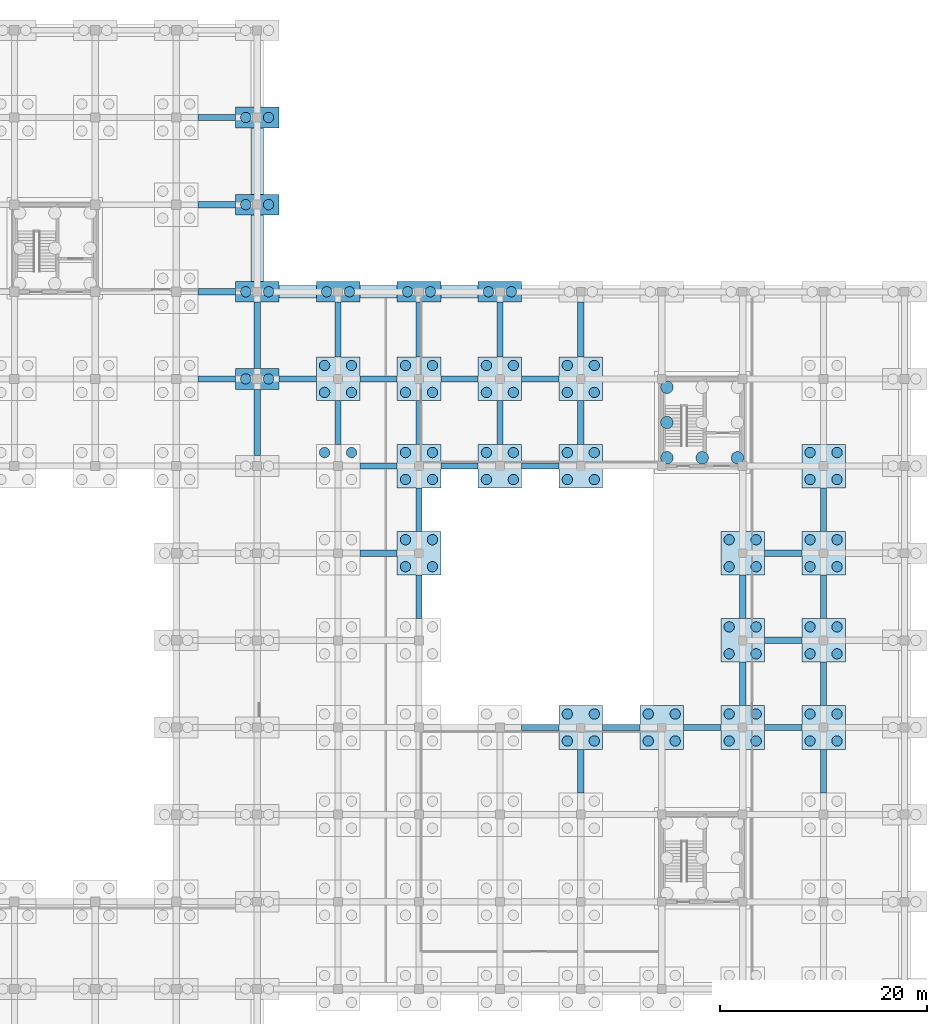
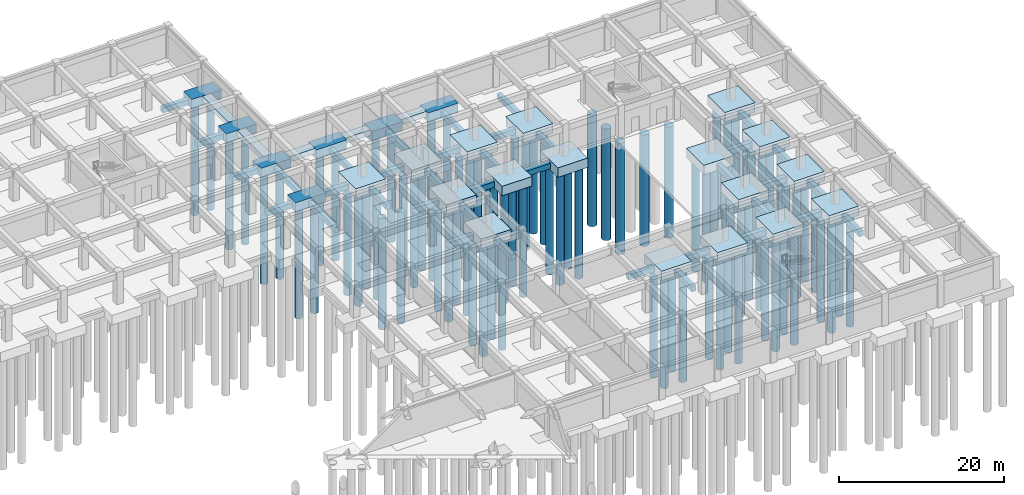
# One storey, part 10 of 31: 89 piles, 66 footings.
"""IFC4 building model written with IfcOpenShell, lengths in metres."""

from ifc_helpers import new_model, si_unit, direction, frame, origin, origin_2d, place, context, subcontext, project, spatial, rectangle, circle, extrude, material, material_profile, profile_set, type_object, element, save


model = new_model("IFC4")

# Units and contexts
model_context = context("Model", 3, precision=1e-05, world=origin(), true_north=direction((0.0, 1.0)))
body_context = subcontext(model_context, "Body", "Model", "MODEL_VIEW")
ifc_project = project(units=[si_unit("LENGTHUNIT", "METRE"), si_unit("AREAUNIT", "SQUARE_METRE"), si_unit("VOLUMEUNIT", "CUBIC_METRE"), si_unit("PLANEANGLEUNIT", "RADIAN"), si_unit("MASSUNIT", "GRAM", prefix="KILO")], contexts=[model_context])

# Site, building, storey
site_placement = place(None, origin())
site = spatial("IfcSite", under=ifc_project, at=site_placement, CompositionType="ELEMENT")
building_placement = place(site_placement, origin())
building = spatial("IfcBuilding", under=site, at=building_placement, Name="Zizhar Promenade General Hospital", CompositionType="ELEMENT")
storey_placement = place(building_placement, frame((0.0, 0.0, -4.800048828125)))
storey = spatial("IfcBuildingStorey", under=building, at=storey_placement, Name="B1", CompositionType="ELEMENT", Elevation=-4.800048828125)

# Footings
ifc_material_1 = material(Name="Concrete C30/37", Category="concrete")
footing_type_1 = type_object("IfcFootingType", Name="FTG-CAP2-4000", PredefinedType="PILE_CAP", material=ifc_material_1)
for number, where, z_axis, x_axis, name in (
    (1, (132.60009765625, 100.800048828125, -1.39990234375), (0.0, 0.0, 1.0), (1.0, 0.0, 0.0), "Pile Cap 18-N"),
    (2, (132.60009765625, 109.199951171875, -1.39990234375), (0.0, 0.0, 1.0), (1.0, 0.0, 0.0), "Pile Cap 18-P"),
    (3, (132.60009765625, 117.60009765625, -1.39990234375), (0.0, 0.0, 1.0), (1.0, 0.0, 0.0), "Pile Cap 18-Q"),
    (4, (132.60009765625, 126.0, -1.39990234375), (0.0, 0.0, 1.0), (1.0, 0.0, 0.0), "Pile Cap 18-R"),
    (5, (140.39990234375, 109.199951171875, -1.39990234375), (0.0, 0.0, 1.0), (1.0, 0.0, 0.0), "Pile Cap 19-P"),
    (6, (148.199951171875, 109.199951171875, -1.39990234375), (0.0, 0.0, 1.0), (1.0, 0.0, 0.0), "Pile Cap 20-P"),
    (7, (156.0, 109.199951171875, -1.39990234375), (0.0, 0.0, 1.0), (1.0, 0.0, 0.0), "Pile Cap 21-P"),
):
    element("IfcFooting", number, at=place(storey_placement, frame(where, z_axis=z_axis, x_axis=x_axis)), inside=storey, type_object=footing_type_1, Name=name, PredefinedType="PILE_CAP", context=body_context, shape_type="SweptSolid", body=[
        extrude(rectangle(XDim=4.199951171875, YDim=2.0, at=origin_2d()), origin(), (0.0, 0.0, 1.0), 1.39990234375),
    ])
ifc_material_2 = material(Name="Concrete C30/37", Category="concrete")
footing_type_2 = type_object("IfcFootingType", Name="FTG-CAP4-4200", PredefinedType="PILE_CAP", material=ifc_material_2)
for number, where, z_axis, x_axis, name in (
    (8, (140.39990234375, 100.800048828125, -1.39990234375), (0.0, 0.0, 1.0), (1.0, 0.0, 0.0), "Pile Cap 19-N"),
    (9, (148.199951171875, 84.0, -1.39990234375), (0.0, 0.0, 1.0), (1.0, 0.0, 0.0), "Pile Cap 20-L"),
    (10, (148.199951171875, 92.39990234375, -1.39990234375), (0.0, 0.0, 1.0), (1.0, 0.0, 0.0), "Pile Cap 20-M"),
    (11, (148.199951171875, 100.800048828125, -1.39990234375), (0.0, 0.0, 1.0), (1.0, 0.0, 0.0), "Pile Cap 20-N"),
    (12, (156.0, 92.39990234375, -1.39990234375), (0.0, 0.0, 1.0), (1.0, 0.0, 0.0), "Pile Cap 21-M"),
    (13, (156.0, 100.800048828125, -1.39990234375), (0.0, 0.0, 1.0), (1.0, 0.0, 0.0), "Pile Cap 21-N"),
    (14, (163.800048828125, 67.199951171875, -1.39990234375), (0.0, 0.0, 1.0), (1.0, 0.0, 0.0), "Pile Cap 22-J"),
    (15, (163.800048828125, 92.39990234375, -1.39990234375), (0.0, 0.0, 1.0), (1.0, 0.0, 0.0), "Pile Cap 22-M"),
    (16, (163.800048828125, 100.800048828125, -1.39990234375), (0.0, 0.0, 1.0), (1.0, 0.0, 0.0), "Pile Cap 22-N"),
    (17, (171.60009765625, 67.199951171875, -1.39990234375), (0.0, 0.0, 1.0), (1.0, 0.0, 0.0), "Pile Cap 23-J"),
    (18, (179.39990234375, 67.199951171875, -1.39990234375), (0.0, 0.0, 1.0), (1.0, 0.0, 0.0), "Pile Cap 24-J"),
    (19, (179.39990234375, 75.60009765625, -1.39990234375), (0.0, 0.0, 1.0), (1.0, 0.0, 0.0), "Pile Cap 24-K"),
    (20, (179.39990234375, 84.0, -1.39990234375), (0.0, 0.0, 1.0), (1.0, 0.0, 0.0), "Pile Cap 24-L"),
    (21, (187.199951171875, 67.199951171875, -1.39990234375), (0.0, 0.0, 1.0), (1.0, 0.0, 0.0), "Pile Cap 25-J"),
    (22, (187.199951171875, 75.60009765625, -1.39990234375), (0.0, 0.0, 1.0), (1.0, 0.0, 0.0), "Pile Cap 25-K"),
    (23, (187.199951171875, 84.0, -1.39990234375), (0.0, 0.0, 1.0), (1.0, 0.0, 0.0), "Pile Cap 25-L"),
    (24, (187.199951171875, 92.39990234375, -1.39990234375), (0.0, 0.0, 1.0), (1.0, 0.0, 0.0), "Pile Cap 25-M"),
):
    element("IfcFooting", number, at=place(storey_placement, frame(where, z_axis=z_axis, x_axis=x_axis)), inside=storey, type_object=footing_type_2, Name=name, PredefinedType="PILE_CAP", context=body_context, shape_type="SweptSolid", body=[
        extrude(rectangle(XDim=4.199951171875, YDim=4.199951171875, at=origin_2d()), origin(), (0.0, 0.0, 1.0), 1.39990234375),
    ])
ifc_material_3 = material(Name="Concrete C30/37", Category="concrete")
ifc_material_profile_1 = material_profile(ifc_material_3, rectangle(XDim=1.199951171875, YDim=0.800048828125, at=origin_2d()))
ifc_profile_set_1 = profile_set([ifc_material_profile_1], Name="Concrete C30/37")
footing_type_3 = type_object("IfcFootingType", Name="FTG-STRIP-1200", PredefinedType="STRIP_FOOTING", material=ifc_profile_set_1)
footing_1_placement = place(storey_placement, frame((153.89990234375, 109.199951171875, -0.39990234375), z_axis=(-1.0, 0.0, 0.0), x_axis=(0.0, -1.0, 0.0)))
element("IfcFooting", 25, at=footing_1_placement, inside=storey, type_object=footing_type_3, Name="Basement Wall Strip Footing B05 (6)", PredefinedType="STRIP_FOOTING", context=body_context, shape_type="SweptSolid", body=[
    extrude(rectangle(XDim=1.199951171875, YDim=0.800048828125, at=origin_2d()), origin(), (0.0, 0.0, 1.0), 3.599853515625),
])
for number, where, z_axis, x_axis, name in (
    (26, (146.10009765625, 109.199951171875, -0.39990234375), (-1.0, 0.0, 0.0), (0.0, -1.0, 0.0), "Basement Wall Strip Footing B05 (7)"),
    (27, (138.300048828125, 109.199951171875, -0.39990234375), (-1.0, 0.0, 0.0), (0.0, -1.0, 0.0), "Basement Wall Strip Footing B05 (8)"),
):
    element("IfcFooting", number, at=place(storey_placement, frame(where, z_axis=z_axis, x_axis=x_axis)), inside=storey, type_object=footing_type_3, Name=name, PredefinedType="STRIP_FOOTING", context=body_context, shape_type="SweptSolid", body=[
        extrude(rectangle(XDim=1.199951171875, YDim=0.800048828125, at=origin_2d()), origin(), (0.0, 0.0, 1.0), 3.60009765625),
    ])
footing_2_placement = place(storey_placement, frame((132.60009765625, 110.199951171875, -0.39990234375), z_axis=(0.0, 1.0, 0.0), x_axis=(-1.0, 0.0, 0.0)))
element("IfcFooting", 28, at=footing_2_placement, inside=storey, type_object=footing_type_3, Name="Basement Wall Strip Footing B06", PredefinedType="STRIP_FOOTING", context=body_context, shape_type="SweptSolid", body=[
    extrude(rectangle(XDim=1.199951171875, YDim=0.800048828125, at=origin_2d()), origin(), (0.0, 0.0, 1.0), 6.400146484375),
])
footing_3_placement = place(storey_placement, frame((132.60009765625, 118.60009765625, -0.39990234375), z_axis=(0.0, 1.0, 0.0), x_axis=(-1.0, 0.0, 0.0)))
element("IfcFooting", 29, at=footing_3_placement, inside=storey, type_object=footing_type_3, Name="Basement Wall Strip Footing B06 (2)", PredefinedType="STRIP_FOOTING", context=body_context, shape_type="SweptSolid", body=[
    extrude(rectangle(XDim=1.199951171875, YDim=0.800048828125, at=origin_2d()), origin(), (0.0, 0.0, 1.0), 6.39990234375),
])
ifc_material_4 = material(Name="Concrete C30/37", Category="concrete")
ifc_material_profile_2 = material_profile(ifc_material_4, rectangle(XDim=0.60009765625, YDim=0.800048828125, at=origin_2d()))
ifc_profile_set_2 = profile_set([ifc_material_profile_2], Name="Concrete C30/37")
footing_type_4 = type_object("IfcFootingType", Name="FTG-TIE-600x800", PredefinedType="FOOTING_BEAM", material=ifc_profile_set_2)
for number, where, z_axis, x_axis, name in (
    (30, (126.89990234375, 100.800048828125, -0.800048828125), (1.0, 0.0, 0.0), (0.0, 1.0, 0.0), "Seismic Ground Tie Beam X-16-12"),
    (31, (126.89990234375, 109.199951171875, -0.800048828125), (1.0, 0.0, 0.0), (0.0, 1.0, 0.0), "Seismic Ground Tie Beam X-16-13"),
    (32, (126.89990234375, 117.60009765625, -0.800048828125), (1.0, 0.0, 0.0), (0.0, 1.0, 0.0), "Seismic Ground Tie Beam X-16-14"),
    (33, (126.89990234375, 126.0, -0.800048828125), (1.0, 0.0, 0.0), (0.0, 1.0, 0.0), "Seismic Ground Tie Beam X-16-15"),
):
    element("IfcFooting", number, at=place(storey_placement, frame(where, z_axis=z_axis, x_axis=x_axis)), inside=storey, type_object=footing_type_4, Name=name, PredefinedType="FOOTING_BEAM", context=body_context, shape_type="SweptSolid", body=[
        extrude(rectangle(XDim=0.60009765625, YDim=0.800048828125, at=origin_2d()), origin(), (0.0, 0.0, 1.0), 3.60009765625),
    ])
footing_4_placement = place(storey_placement, frame((132.60009765625, 93.39990234375, -0.800048828125), z_axis=(0.0, 1.0, 0.0), x_axis=(-1.0, 0.0, 0.0)))
element("IfcFooting", 34, at=footing_4_placement, inside=storey, type_object=footing_type_4, Name="Seismic Ground Tie Beam Y-17-11", PredefinedType="FOOTING_BEAM", context=body_context, shape_type="SweptSolid", body=[
    extrude(rectangle(XDim=0.60009765625, YDim=0.800048828125, at=origin_2d()), origin(), (0.0, 0.0, 1.0), 6.400146484375),
])
footing_5_placement = place(storey_placement, frame((134.699951171875, 100.800048828125, -0.800048828125), z_axis=(1.0, 0.0, 0.0), x_axis=(0.0, 1.0, 0.0)))
element("IfcFooting", 35, at=footing_5_placement, inside=storey, type_object=footing_type_4, Name="Seismic Ground Tie Beam X-17-12", PredefinedType="FOOTING_BEAM", context=body_context, shape_type="SweptSolid", body=[
    extrude(rectangle(XDim=0.60009765625, YDim=0.800048828125, at=origin_2d()), origin(), (0.0, 0.0, 1.0), 3.60009765625),
])
footing_6_placement = place(storey_placement, frame((132.60009765625, 101.800048828125, -0.800048828125), z_axis=(0.0, 1.0, 0.0), x_axis=(-1.0, 0.0, 0.0)))
element("IfcFooting", 36, at=footing_6_placement, inside=storey, type_object=footing_type_4, Name="Seismic Ground Tie Beam Y-17-12", PredefinedType="FOOTING_BEAM", context=body_context, shape_type="SweptSolid", body=[
    extrude(rectangle(XDim=0.60009765625, YDim=0.800048828125, at=origin_2d()), origin(), (0.0, 0.0, 1.0), 6.39990234375),
])
for number, where, z_axis, x_axis, name in (
    (37, (142.5, 84.0, -0.800048828125), (1.0, 0.0, 0.0), (0.0, 1.0, 0.0), "Seismic Ground Tie Beam X-18-10"),
    (38, (142.5, 92.39990234375, -0.800048828125), (1.0, 0.0, 0.0), (0.0, 1.0, 0.0), "Seismic Ground Tie Beam X-18-11"),
):
    element("IfcFooting", number, at=place(storey_placement, frame(where, z_axis=z_axis, x_axis=x_axis)), inside=storey, type_object=footing_type_4, Name=name, PredefinedType="FOOTING_BEAM", context=body_context, shape_type="SweptSolid", body=[
        extrude(rectangle(XDim=0.60009765625, YDim=0.800048828125, at=origin_2d()), origin(), (0.0, 0.0, 1.0), 3.60009765625),
    ])
footing_7_placement = place(storey_placement, frame((140.39990234375, 94.5, -0.800048828125), z_axis=(0.0, 1.0, 0.0), x_axis=(-1.0, 0.0, 0.0)))
element("IfcFooting", 39, at=footing_7_placement, inside=storey, type_object=footing_type_4, Name="Seismic Ground Tie Beam Y-18-11", PredefinedType="FOOTING_BEAM", context=body_context, shape_type="SweptSolid", body=[
    extrude(rectangle(XDim=0.60009765625, YDim=0.800048828125, at=origin_2d()), origin(), (0.0, 0.0, 1.0), 4.199951171875),
])
footing_8_placement = place(storey_placement, frame((142.5, 100.800048828125, -0.800048828125), z_axis=(1.0, 0.0, 0.0), x_axis=(0.0, 1.0, 0.0)))
element("IfcFooting", 40, at=footing_8_placement, inside=storey, type_object=footing_type_4, Name="Seismic Ground Tie Beam X-18-12", PredefinedType="FOOTING_BEAM", context=body_context, shape_type="SweptSolid", body=[
    extrude(rectangle(XDim=0.60009765625, YDim=0.800048828125, at=origin_2d()), origin(), (0.0, 0.0, 1.0), 3.60009765625),
])
footing_9_placement = place(storey_placement, frame((140.39990234375, 102.89990234375, -0.800048828125), z_axis=(0.0, 1.0, 0.0), x_axis=(-1.0, 0.0, 0.0)))
element("IfcFooting", 41, at=footing_9_placement, inside=storey, type_object=footing_type_4, Name="Seismic Ground Tie Beam Y-18-12", PredefinedType="FOOTING_BEAM", context=body_context, shape_type="SweptSolid", body=[
    extrude(rectangle(XDim=0.60009765625, YDim=0.800048828125, at=origin_2d()), origin(), (0.0, 0.0, 1.0), 5.300048828125),
])
for number, where, z_axis, x_axis, name in (
    (42, (148.199951171875, 77.699951171875, -0.800048828125), (0.0, 1.0, 0.0), (-1.0, 0.0, 0.0), "Seismic Ground Tie Beam Y-19-9"),
    (43, (148.199951171875, 86.10009765625, -0.800048828125), (0.0, 1.0, 0.0), (-1.0, 0.0, 0.0), "Seismic Ground Tie Beam Y-19-10"),
):
    element("IfcFooting", number, at=place(storey_placement, frame(where, z_axis=z_axis, x_axis=x_axis)), inside=storey, type_object=footing_type_4, Name=name, PredefinedType="FOOTING_BEAM", context=body_context, shape_type="SweptSolid", body=[
        extrude(rectangle(XDim=0.60009765625, YDim=0.800048828125, at=origin_2d()), origin(), (0.0, 0.0, 1.0), 4.199951171875),
    ])
footing_10_placement = place(storey_placement, frame((150.300048828125, 92.39990234375, -0.800048828125), z_axis=(1.0, 0.0, 0.0), x_axis=(0.0, 1.0, 0.0)))
element("IfcFooting", 44, at=footing_10_placement, inside=storey, type_object=footing_type_4, Name="Seismic Ground Tie Beam X-19-11", PredefinedType="FOOTING_BEAM", context=body_context, shape_type="SweptSolid", body=[
    extrude(rectangle(XDim=0.60009765625, YDim=0.800048828125, at=origin_2d()), origin(), (0.0, 0.0, 1.0), 3.599853515625),
])
footing_11_placement = place(storey_placement, frame((148.199951171875, 94.5, -0.800048828125), z_axis=(0.0, 1.0, 0.0), x_axis=(-1.0, 0.0, 0.0)))
element("IfcFooting", 45, at=footing_11_placement, inside=storey, type_object=footing_type_4, Name="Seismic Ground Tie Beam Y-19-11", PredefinedType="FOOTING_BEAM", context=body_context, shape_type="SweptSolid", body=[
    extrude(rectangle(XDim=0.60009765625, YDim=0.800048828125, at=origin_2d()), origin(), (0.0, 0.0, 1.0), 4.199951171875),
])
footing_12_placement = place(storey_placement, frame((150.300048828125, 100.800048828125, -0.800048828125), z_axis=(1.0, 0.0, 0.0), x_axis=(0.0, 1.0, 0.0)))
element("IfcFooting", 46, at=footing_12_placement, inside=storey, type_object=footing_type_4, Name="Seismic Ground Tie Beam X-19-12", PredefinedType="FOOTING_BEAM", context=body_context, shape_type="SweptSolid", body=[
    extrude(rectangle(XDim=0.60009765625, YDim=0.800048828125, at=origin_2d()), origin(), (0.0, 0.0, 1.0), 3.599853515625),
])
footing_13_placement = place(storey_placement, frame((148.199951171875, 102.89990234375, -0.800048828125), z_axis=(0.0, 1.0, 0.0), x_axis=(-1.0, 0.0, 0.0)))
element("IfcFooting", 47, at=footing_13_placement, inside=storey, type_object=footing_type_4, Name="Seismic Ground Tie Beam Y-19-12", PredefinedType="FOOTING_BEAM", context=body_context, shape_type="SweptSolid", body=[
    extrude(rectangle(XDim=0.60009765625, YDim=0.800048828125, at=origin_2d()), origin(), (0.0, 0.0, 1.0), 5.300048828125),
])
for number, where, z_axis, x_axis, name in (
    (48, (158.10009765625, 67.199951171875, -0.800048828125), (1.0, 0.0, 0.0), (0.0, 1.0, 0.0), "Seismic Ground Tie Beam X-20-8"),
    (49, (158.10009765625, 92.39990234375, -0.800048828125), (1.0, 0.0, 0.0), (0.0, 1.0, 0.0), "Seismic Ground Tie Beam X-20-11"),
):
    element("IfcFooting", number, at=place(storey_placement, frame(where, z_axis=z_axis, x_axis=x_axis)), inside=storey, type_object=footing_type_4, Name=name, PredefinedType="FOOTING_BEAM", context=body_context, shape_type="SweptSolid", body=[
        extrude(rectangle(XDim=0.60009765625, YDim=0.800048828125, at=origin_2d()), origin(), (0.0, 0.0, 1.0), 3.599853515625),
    ])
footing_14_placement = place(storey_placement, frame((156.0, 94.5, -0.800048828125), z_axis=(0.0, 1.0, 0.0), x_axis=(-1.0, 0.0, 0.0)))
element("IfcFooting", 50, at=footing_14_placement, inside=storey, type_object=footing_type_4, Name="Seismic Ground Tie Beam Y-20-11", PredefinedType="FOOTING_BEAM", context=body_context, shape_type="SweptSolid", body=[
    extrude(rectangle(XDim=0.60009765625, YDim=0.800048828125, at=origin_2d()), origin(), (0.0, 0.0, 1.0), 4.199951171875),
])
footing_15_placement = place(storey_placement, frame((158.10009765625, 100.800048828125, -0.800048828125), z_axis=(1.0, 0.0, 0.0), x_axis=(0.0, 1.0, 0.0)))
element("IfcFooting", 51, at=footing_15_placement, inside=storey, type_object=footing_type_4, Name="Seismic Ground Tie Beam X-20-12", PredefinedType="FOOTING_BEAM", context=body_context, shape_type="SweptSolid", body=[
    extrude(rectangle(XDim=0.60009765625, YDim=0.800048828125, at=origin_2d()), origin(), (0.0, 0.0, 1.0), 3.599853515625),
])
footing_16_placement = place(storey_placement, frame((156.0, 102.89990234375, -0.800048828125), z_axis=(0.0, 1.0, 0.0), x_axis=(-1.0, 0.0, 0.0)))
element("IfcFooting", 52, at=footing_16_placement, inside=storey, type_object=footing_type_4, Name="Seismic Ground Tie Beam Y-20-12", PredefinedType="FOOTING_BEAM", context=body_context, shape_type="SweptSolid", body=[
    extrude(rectangle(XDim=0.60009765625, YDim=0.800048828125, at=origin_2d()), origin(), (0.0, 0.0, 1.0), 5.300048828125),
])
footing_17_placement = place(storey_placement, frame((163.800048828125, 60.89990234375, -0.800048828125), z_axis=(0.0, 1.0, 0.0), x_axis=(-1.0, 0.0, 0.0)))
element("IfcFooting", 53, at=footing_17_placement, inside=storey, type_object=footing_type_4, Name="Seismic Ground Tie Beam Y-21-7", PredefinedType="FOOTING_BEAM", context=body_context, shape_type="SweptSolid", body=[
    extrude(rectangle(XDim=0.60009765625, YDim=0.800048828125, at=origin_2d()), origin(), (0.0, 0.0, 1.0), 4.2001953125),
])
footing_18_placement = place(storey_placement, frame((165.89990234375, 67.199951171875, -0.800048828125), z_axis=(1.0, 0.0, 0.0), x_axis=(0.0, 1.0, 0.0)))
element("IfcFooting", 54, at=footing_18_placement, inside=storey, type_object=footing_type_4, Name="Seismic Ground Tie Beam X-21-8", PredefinedType="FOOTING_BEAM", context=body_context, shape_type="SweptSolid", body=[
    extrude(rectangle(XDim=0.60009765625, YDim=0.800048828125, at=origin_2d()), origin(), (0.0, 0.0, 1.0), 3.60009765625),
])
footing_19_placement = place(storey_placement, frame((163.800048828125, 94.5, -0.800048828125), z_axis=(0.0, 1.0, 0.0), x_axis=(-1.0, 0.0, 0.0)))
element("IfcFooting", 55, at=footing_19_placement, inside=storey, type_object=footing_type_4, Name="Seismic Ground Tie Beam Y-21-11", PredefinedType="FOOTING_BEAM", context=body_context, shape_type="SweptSolid", body=[
    extrude(rectangle(XDim=0.60009765625, YDim=0.800048828125, at=origin_2d()), origin(), (0.0, 0.0, 1.0), 4.199951171875),
])
footing_20_placement = place(storey_placement, frame((163.800048828125, 102.89990234375, -0.800048828125), z_axis=(0.0, 1.0, 0.0), x_axis=(-1.0, 0.0, 0.0)))
element("IfcFooting", 56, at=footing_20_placement, inside=storey, type_object=footing_type_4, Name="Seismic Ground Tie Beam Y-21-12", PredefinedType="FOOTING_BEAM", context=body_context, shape_type="SweptSolid", body=[
    extrude(rectangle(XDim=0.60009765625, YDim=0.800048828125, at=origin_2d()), origin(), (0.0, 0.0, 1.0), 5.300048828125),
])
for number, where, z_axis, x_axis, name in (
    (57, (173.699951171875, 67.199951171875, -0.800048828125), (1.0, 0.0, 0.0), (0.0, 1.0, 0.0), "Seismic Ground Tie Beam X-22-8"),
    (58, (181.5, 67.199951171875, -0.800048828125), (1.0, 0.0, 0.0), (0.0, 1.0, 0.0), "Seismic Ground Tie Beam X-23-8"),
):
    element("IfcFooting", number, at=place(storey_placement, frame(where, z_axis=z_axis, x_axis=x_axis)), inside=storey, type_object=footing_type_4, Name=name, PredefinedType="FOOTING_BEAM", context=body_context, shape_type="SweptSolid", body=[
        extrude(rectangle(XDim=0.60009765625, YDim=0.800048828125, at=origin_2d()), origin(), (0.0, 0.0, 1.0), 3.60009765625),
    ])
footing_21_placement = place(storey_placement, frame((179.39990234375, 69.300048828125, -0.800048828125), z_axis=(0.0, 1.0, 0.0), x_axis=(-1.0, 0.0, 0.0)))
element("IfcFooting", 59, at=footing_21_placement, inside=storey, type_object=footing_type_4, Name="Seismic Ground Tie Beam Y-23-8", PredefinedType="FOOTING_BEAM", context=body_context, shape_type="SweptSolid", body=[
    extrude(rectangle(XDim=0.60009765625, YDim=0.800048828125, at=origin_2d()), origin(), (0.0, 0.0, 1.0), 4.199951171875),
])
footing_22_placement = place(storey_placement, frame((181.5, 75.60009765625, -0.800048828125), z_axis=(1.0, 0.0, 0.0), x_axis=(0.0, 1.0, 0.0)))
element("IfcFooting", 60, at=footing_22_placement, inside=storey, type_object=footing_type_4, Name="Seismic Ground Tie Beam X-23-9", PredefinedType="FOOTING_BEAM", context=body_context, shape_type="SweptSolid", body=[
    extrude(rectangle(XDim=0.60009765625, YDim=0.800048828125, at=origin_2d()), origin(), (0.0, 0.0, 1.0), 3.60009765625),
])
footing_23_placement = place(storey_placement, frame((179.39990234375, 77.699951171875, -0.800048828125), z_axis=(0.0, 1.0, 0.0), x_axis=(-1.0, 0.0, 0.0)))
element("IfcFooting", 61, at=footing_23_placement, inside=storey, type_object=footing_type_4, Name="Seismic Ground Tie Beam Y-23-9", PredefinedType="FOOTING_BEAM", context=body_context, shape_type="SweptSolid", body=[
    extrude(rectangle(XDim=0.60009765625, YDim=0.800048828125, at=origin_2d()), origin(), (0.0, 0.0, 1.0), 4.199951171875),
])
footing_24_placement = place(storey_placement, frame((181.5, 84.0, -0.800048828125), z_axis=(1.0, 0.0, 0.0), x_axis=(0.0, 1.0, 0.0)))
element("IfcFooting", 62, at=footing_24_placement, inside=storey, type_object=footing_type_4, Name="Seismic Ground Tie Beam X-23-10", PredefinedType="FOOTING_BEAM", context=body_context, shape_type="SweptSolid", body=[
    extrude(rectangle(XDim=0.60009765625, YDim=0.800048828125, at=origin_2d()), origin(), (0.0, 0.0, 1.0), 3.60009765625),
])
footing_25_placement = place(storey_placement, frame((187.199951171875, 60.89990234375, -0.800048828125), z_axis=(0.0, 1.0, 0.0), x_axis=(-1.0, 0.0, 0.0)))
element("IfcFooting", 63, at=footing_25_placement, inside=storey, type_object=footing_type_4, Name="Seismic Ground Tie Beam Y-24-7", PredefinedType="FOOTING_BEAM", context=body_context, shape_type="SweptSolid", body=[
    extrude(rectangle(XDim=0.60009765625, YDim=0.800048828125, at=origin_2d()), origin(), (0.0, 0.0, 1.0), 4.2001953125),
])
for number, where, z_axis, x_axis, name in (
    (64, (187.199951171875, 69.300048828125, -0.800048828125), (0.0, 1.0, 0.0), (-1.0, 0.0, 0.0), "Seismic Ground Tie Beam Y-24-8"),
    (65, (187.199951171875, 77.699951171875, -0.800048828125), (0.0, 1.0, 0.0), (-1.0, 0.0, 0.0), "Seismic Ground Tie Beam Y-24-9"),
    (66, (187.199951171875, 86.10009765625, -0.800048828125), (0.0, 1.0, 0.0), (-1.0, 0.0, 0.0), "Seismic Ground Tie Beam Y-24-10"),
):
    element("IfcFooting", number, at=place(storey_placement, frame(where, z_axis=z_axis, x_axis=x_axis)), inside=storey, type_object=footing_type_4, Name=name, PredefinedType="FOOTING_BEAM", context=body_context, shape_type="SweptSolid", body=[
        extrude(rectangle(XDim=0.60009765625, YDim=0.800048828125, at=origin_2d()), origin(), (0.0, 0.0, 1.0), 4.199951171875),
    ])

# Piles
ifc_material_5 = material(Name="Concrete C30/37", Category="concrete")
ifc_material_profile_3 = material_profile(ifc_material_5, circle(Radius=0.5, at=origin_2d()))
ifc_profile_set_3 = profile_set([ifc_material_profile_3], Name="Concrete C30/37")
pile_type_1 = type_object("IfcPileType", Name="PIL-BORED-1000", PredefinedType="BORED", material=ifc_profile_set_3)
for number, where, z_axis, x_axis, name in (
    (67, (131.5, 100.800048828125, -1.300048828125), (0.0, 0.0, -1.0), (1.0, 0.0, 0.0), "Bored Pile 18-N-1"),
    (68, (133.699951171875, 100.800048828125, -1.300048828125), (0.0, 0.0, -1.0), (1.0, 0.0, 0.0), "Bored Pile 18-N-2"),
    (69, (131.5, 109.199951171875, -1.300048828125), (0.0, 0.0, -1.0), (1.0, 0.0, 0.0), "Bored Pile 18-P-1"),
    (70, (133.699951171875, 109.199951171875, -1.300048828125), (0.0, 0.0, -1.0), (1.0, 0.0, 0.0), "Bored Pile 18-P-2"),
    (71, (131.5, 117.60009765625, -1.300048828125), (0.0, 0.0, -1.0), (1.0, 0.0, 0.0), "Bored Pile 18-Q-1"),
    (72, (133.699951171875, 117.60009765625, -1.300048828125), (0.0, 0.0, -1.0), (1.0, 0.0, 0.0), "Bored Pile 18-Q-2"),
    (73, (131.5, 126.0, -1.300048828125), (0.0, 0.0, -1.0), (1.0, 0.0, 0.0), "Bored Pile 18-R-1"),
    (74, (133.699951171875, 126.0, -1.300048828125), (0.0, 0.0, -1.0), (1.0, 0.0, 0.0), "Bored Pile 18-R-2"),
    (75, (139.10009765625, 93.699951171875, -1.300048828125), (0.0, 0.0, -1.0), (1.0, 0.0, 0.0), "Bored Pile 19-M-2"),
    (76, (141.699951171875, 93.699951171875, -1.300048828125), (0.0, 0.0, -1.0), (1.0, 0.0, 0.0), "Bored Pile 19-M-4"),
    (77, (139.10009765625, 99.5, -1.300048828125), (0.0, 0.0, -1.0), (1.0, 0.0, 0.0), "Bored Pile 19-N-1"),
    (78, (139.10009765625, 102.10009765625, -1.300048828125), (0.0, 0.0, -1.0), (1.0, 0.0, 0.0), "Bored Pile 19-N-2"),
    (79, (141.699951171875, 99.5, -1.300048828125), (0.0, 0.0, -1.0), (1.0, 0.0, 0.0), "Bored Pile 19-N-3"),
    (80, (141.699951171875, 102.10009765625, -1.300048828125), (0.0, 0.0, -1.0), (1.0, 0.0, 0.0), "Bored Pile 19-N-4"),
    (81, (139.300048828125, 109.199951171875, -1.300048828125), (0.0, 0.0, -1.0), (1.0, 0.0, 0.0), "Bored Pile 19-P-1"),
    (82, (141.5, 109.199951171875, -1.300048828125), (0.0, 0.0, -1.0), (1.0, 0.0, 0.0), "Bored Pile 19-P-2"),
    (83, (146.89990234375, 82.699951171875, -1.300048828125), (0.0, 0.0, -1.0), (1.0, 0.0, 0.0), "Bored Pile 20-L-1"),
    (84, (146.89990234375, 85.300048828125, -1.300048828125), (0.0, 0.0, -1.0), (1.0, 0.0, 0.0), "Bored Pile 20-L-2"),
    (85, (149.5, 82.699951171875, -1.300048828125), (0.0, 0.0, -1.0), (1.0, 0.0, 0.0), "Bored Pile 20-L-3"),
    (86, (149.5, 85.300048828125, -1.300048828125), (0.0, 0.0, -1.0), (1.0, 0.0, 0.0), "Bored Pile 20-L-4"),
    (87, (146.89990234375, 91.10009765625, -1.300048828125), (0.0, 0.0, -1.0), (1.0, 0.0, 0.0), "Bored Pile 20-M-1"),
    (88, (146.89990234375, 93.699951171875, -1.300048828125), (0.0, 0.0, -1.0), (1.0, 0.0, 0.0), "Bored Pile 20-M-2"),
    (89, (149.5, 91.10009765625, -1.300048828125), (0.0, 0.0, -1.0), (1.0, 0.0, 0.0), "Bored Pile 20-M-3"),
    (90, (149.5, 93.699951171875, -1.300048828125), (0.0, 0.0, -1.0), (1.0, 0.0, 0.0), "Bored Pile 20-M-4"),
    (91, (146.89990234375, 99.5, -1.300048828125), (0.0, 0.0, -1.0), (1.0, 0.0, 0.0), "Bored Pile 20-N-1"),
    (92, (146.89990234375, 102.10009765625, -1.300048828125), (0.0, 0.0, -1.0), (1.0, 0.0, 0.0), "Bored Pile 20-N-2"),
    (93, (149.5, 99.5, -1.300048828125), (0.0, 0.0, -1.0), (1.0, 0.0, 0.0), "Bored Pile 20-N-3"),
    (94, (149.5, 102.10009765625, -1.300048828125), (0.0, 0.0, -1.0), (1.0, 0.0, 0.0), "Bored Pile 20-N-4"),
    (95, (147.10009765625, 109.199951171875, -1.300048828125), (0.0, 0.0, -1.0), (1.0, 0.0, 0.0), "Bored Pile 20-P-1"),
    (96, (149.300048828125, 109.199951171875, -1.300048828125), (0.0, 0.0, -1.0), (1.0, 0.0, 0.0), "Bored Pile 20-P-2"),
    (97, (154.699951171875, 91.10009765625, -1.300048828125), (0.0, 0.0, -1.0), (1.0, 0.0, 0.0), "Bored Pile 21-M-1"),
    (98, (154.699951171875, 93.699951171875, -1.300048828125), (0.0, 0.0, -1.0), (1.0, 0.0, 0.0), "Bored Pile 21-M-2"),
    (99, (157.300048828125, 91.10009765625, -1.300048828125), (0.0, 0.0, -1.0), (1.0, 0.0, 0.0), "Bored Pile 21-M-3"),
    (100, (157.300048828125, 93.699951171875, -1.300048828125), (0.0, 0.0, -1.0), (1.0, 0.0, 0.0), "Bored Pile 21-M-4"),
    (101, (154.699951171875, 99.5, -1.300048828125), (0.0, 0.0, -1.0), (1.0, 0.0, 0.0), "Bored Pile 21-N-1"),
    (102, (154.699951171875, 102.10009765625, -1.300048828125), (0.0, 0.0, -1.0), (1.0, 0.0, 0.0), "Bored Pile 21-N-2"),
    (103, (157.300048828125, 99.5, -1.300048828125), (0.0, 0.0, -1.0), (1.0, 0.0, 0.0), "Bored Pile 21-N-3"),
    (104, (157.300048828125, 102.10009765625, -1.300048828125), (0.0, 0.0, -1.0), (1.0, 0.0, 0.0), "Bored Pile 21-N-4"),
    (105, (154.89990234375, 109.199951171875, -1.300048828125), (0.0, 0.0, -1.0), (1.0, 0.0, 0.0), "Bored Pile 21-P-1"),
    (106, (157.10009765625, 109.199951171875, -1.300048828125), (0.0, 0.0, -1.0), (1.0, 0.0, 0.0), "Bored Pile 21-P-2"),
    (107, (162.5, 65.89990234375, -1.300048828125), (0.0, 0.0, -1.0), (1.0, 0.0, 0.0), "Bored Pile 22-J-1"),
    (108, (162.5, 68.5, -1.300048828125), (0.0, 0.0, -1.0), (1.0, 0.0, 0.0), "Bored Pile 22-J-2"),
    (109, (165.10009765625, 65.89990234375, -1.300048828125), (0.0, 0.0, -1.0), (1.0, 0.0, 0.0), "Bored Pile 22-J-3"),
    (110, (165.10009765625, 68.5, -1.300048828125), (0.0, 0.0, -1.0), (1.0, 0.0, 0.0), "Bored Pile 22-J-4"),
    (111, (162.5, 91.10009765625, -1.300048828125), (0.0, 0.0, -1.0), (1.0, 0.0, 0.0), "Bored Pile 22-M-1"),
    (112, (162.5, 93.699951171875, -1.300048828125), (0.0, 0.0, -1.0), (1.0, 0.0, 0.0), "Bored Pile 22-M-2"),
    (113, (165.10009765625, 91.10009765625, -1.300048828125), (0.0, 0.0, -1.0), (1.0, 0.0, 0.0), "Bored Pile 22-M-3"),
    (114, (165.10009765625, 93.699951171875, -1.300048828125), (0.0, 0.0, -1.0), (1.0, 0.0, 0.0), "Bored Pile 22-M-4"),
    (115, (162.5, 99.5, -1.300048828125), (0.0, 0.0, -1.0), (1.0, 0.0, 0.0), "Bored Pile 22-N-1"),
    (116, (162.5, 102.10009765625, -1.300048828125), (0.0, 0.0, -1.0), (1.0, 0.0, 0.0), "Bored Pile 22-N-2"),
    (117, (165.10009765625, 99.5, -1.300048828125), (0.0, 0.0, -1.0), (1.0, 0.0, 0.0), "Bored Pile 22-N-3"),
    (118, (165.10009765625, 102.10009765625, -1.300048828125), (0.0, 0.0, -1.0), (1.0, 0.0, 0.0), "Bored Pile 22-N-4"),
    (119, (170.300048828125, 65.89990234375, -1.300048828125), (0.0, 0.0, -1.0), (1.0, 0.0, 0.0), "Bored Pile 23-J-1"),
    (120, (170.300048828125, 68.5, -1.300048828125), (0.0, 0.0, -1.0), (1.0, 0.0, 0.0), "Bored Pile 23-J-2"),
    (121, (172.89990234375, 65.89990234375, -1.300048828125), (0.0, 0.0, -1.0), (1.0, 0.0, 0.0), "Bored Pile 23-J-3"),
    (122, (172.89990234375, 68.5, -1.300048828125), (0.0, 0.0, -1.0), (1.0, 0.0, 0.0), "Bored Pile 23-J-4"),
    (123, (178.10009765625, 65.89990234375, -1.300048828125), (0.0, 0.0, -1.0), (1.0, 0.0, 0.0), "Bored Pile 24-J-1"),
    (124, (178.10009765625, 68.5, -1.300048828125), (0.0, 0.0, -1.0), (1.0, 0.0, 0.0), "Bored Pile 24-J-2"),
    (125, (180.699951171875, 65.89990234375, -1.300048828125), (0.0, 0.0, -1.0), (1.0, 0.0, 0.0), "Bored Pile 24-J-3"),
    (126, (180.699951171875, 68.5, -1.300048828125), (0.0, 0.0, -1.0), (1.0, 0.0, 0.0), "Bored Pile 24-J-4"),
    (127, (178.10009765625, 74.300048828125, -1.300048828125), (0.0, 0.0, -1.0), (1.0, 0.0, 0.0), "Bored Pile 24-K-1"),
    (128, (178.10009765625, 76.89990234375, -1.300048828125), (0.0, 0.0, -1.0), (1.0, 0.0, 0.0), "Bored Pile 24-K-2"),
    (129, (180.699951171875, 74.300048828125, -1.300048828125), (0.0, 0.0, -1.0), (1.0, 0.0, 0.0), "Bored Pile 24-K-3"),
    (130, (180.699951171875, 76.89990234375, -1.300048828125), (0.0, 0.0, -1.0), (1.0, 0.0, 0.0), "Bored Pile 24-K-4"),
    (131, (178.10009765625, 82.699951171875, -1.300048828125), (0.0, 0.0, -1.0), (1.0, 0.0, 0.0), "Bored Pile 24-L-1"),
    (132, (178.10009765625, 85.300048828125, -1.300048828125), (0.0, 0.0, -1.0), (1.0, 0.0, 0.0), "Bored Pile 24-L-2"),
    (133, (180.699951171875, 82.699951171875, -1.300048828125), (0.0, 0.0, -1.0), (1.0, 0.0, 0.0), "Bored Pile 24-L-3"),
    (134, (180.699951171875, 85.300048828125, -1.300048828125), (0.0, 0.0, -1.0), (1.0, 0.0, 0.0), "Bored Pile 24-L-4"),
    (135, (185.89990234375, 65.89990234375, -1.300048828125), (0.0, 0.0, -1.0), (1.0, 0.0, 0.0), "Bored Pile 25-J-1"),
    (136, (185.89990234375, 68.5, -1.300048828125), (0.0, 0.0, -1.0), (1.0, 0.0, 0.0), "Bored Pile 25-J-2"),
    (137, (188.5, 65.89990234375, -1.300048828125), (0.0, 0.0, -1.0), (1.0, 0.0, 0.0), "Bored Pile 25-J-3"),
    (138, (188.5, 68.5, -1.300048828125), (0.0, 0.0, -1.0), (1.0, 0.0, 0.0), "Bored Pile 25-J-4"),
    (139, (185.89990234375, 74.300048828125, -1.300048828125), (0.0, 0.0, -1.0), (1.0, 0.0, 0.0), "Bored Pile 25-K-1"),
    (140, (185.89990234375, 76.89990234375, -1.300048828125), (0.0, 0.0, -1.0), (1.0, 0.0, 0.0), "Bored Pile 25-K-2"),
    (141, (188.5, 74.300048828125, -1.300048828125), (0.0, 0.0, -1.0), (1.0, 0.0, 0.0), "Bored Pile 25-K-3"),
    (142, (188.5, 76.89990234375, -1.300048828125), (0.0, 0.0, -1.0), (1.0, 0.0, 0.0), "Bored Pile 25-K-4"),
    (143, (185.89990234375, 82.699951171875, -1.300048828125), (0.0, 0.0, -1.0), (1.0, 0.0, 0.0), "Bored Pile 25-L-1"),
    (144, (185.89990234375, 85.300048828125, -1.300048828125), (0.0, 0.0, -1.0), (1.0, 0.0, 0.0), "Bored Pile 25-L-2"),
    (145, (188.5, 82.699951171875, -1.300048828125), (0.0, 0.0, -1.0), (1.0, 0.0, 0.0), "Bored Pile 25-L-3"),
    (146, (188.5, 85.300048828125, -1.300048828125), (0.0, 0.0, -1.0), (1.0, 0.0, 0.0), "Bored Pile 25-L-4"),
    (147, (185.89990234375, 91.10009765625, -1.300048828125), (0.0, 0.0, -1.0), (1.0, 0.0, 0.0), "Bored Pile 25-M-1"),
    (148, (185.89990234375, 93.699951171875, -1.300048828125), (0.0, 0.0, -1.0), (1.0, 0.0, 0.0), "Bored Pile 25-M-2"),
    (149, (188.5, 91.10009765625, -1.300048828125), (0.0, 0.0, -1.0), (1.0, 0.0, 0.0), "Bored Pile 25-M-3"),
    (150, (188.5, 93.699951171875, -1.300048828125), (0.0, 0.0, -1.0), (1.0, 0.0, 0.0), "Bored Pile 25-M-4"),
):
    element("IfcPile", number, at=place(storey_placement, frame(where, z_axis=z_axis, x_axis=x_axis)), inside=storey, type_object=pile_type_1, Name=name, PredefinedType="BORED", context=body_context, shape_type="SweptSolid", body=[
        extrude(circle(Radius=0.5, at=origin_2d()), origin(), (0.0, 0.0, 1.0), 16.5),
    ])
ifc_material_6 = material(Name="Concrete C30/37", Category="concrete")
ifc_material_profile_4 = material_profile(ifc_material_6, circle(Radius=0.60009765625, at=origin_2d()))
ifc_profile_set_4 = profile_set([ifc_material_profile_4], Name="Concrete C30/37")
pile_type_2 = type_object("IfcPileType", Name="PIL-BORED-1200", PredefinedType="BORED", material=ifc_profile_set_4)
for number, where, z_axis, x_axis, name in (
    (151, (172.10009765625, 93.199951171875, -1.300048828125), (0.0, 0.0, -1.0), (1.0, 0.0, 0.0), "Core C8 Bored Pile 01"),
    (152, (172.10009765625, 96.60009765625, -1.300048828125), (0.0, 0.0, -1.0), (1.0, 0.0, 0.0), "Core C8 Bored Pile 02"),
    (153, (172.10009765625, 100.0, -1.300048828125), (0.0, 0.0, -1.0), (1.0, 0.0, 0.0), "Core C8 Bored Pile 03"),
    (154, (175.5, 93.199951171875, -1.300048828125), (0.0, 0.0, -1.0), (1.0, 0.0, 0.0), "Core C8 Bored Pile 04"),
    (155, (178.89990234375, 93.199951171875, -1.300048828125), (0.0, 0.0, -1.0), (1.0, 0.0, 0.0), "Core C8 Bored Pile 07"),
):
    element("IfcPile", number, at=place(storey_placement, frame(where, z_axis=z_axis, x_axis=x_axis)), inside=storey, type_object=pile_type_2, Name=name, PredefinedType="BORED", context=body_context, shape_type="SweptSolid", body=[
        extrude(circle(Radius=0.60009765625, at=origin_2d()), origin(), (0.0, 0.0, 1.0), 16.5),
    ])

save(model, "model.ifc")
